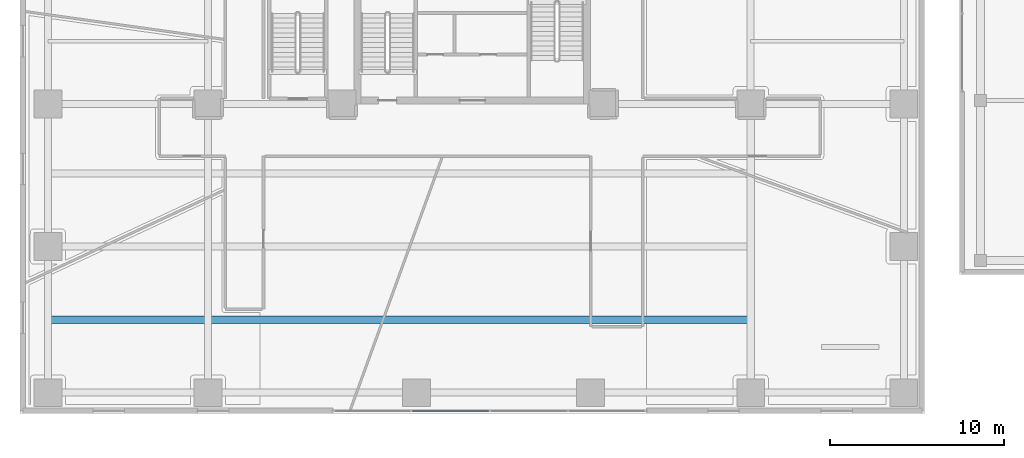
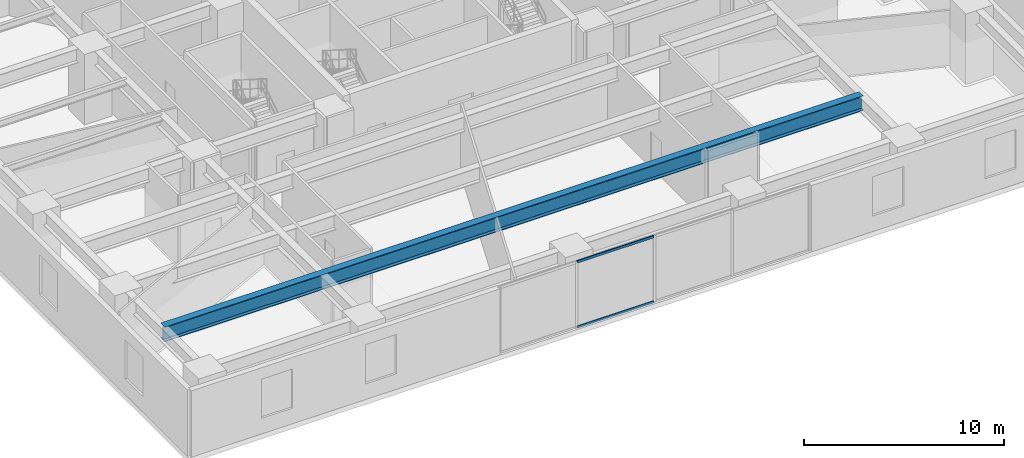
# One storey, part 3 of 25: 2 members, 1 beam, 1 element without a shape of its own.
"""IFC4 building model written with IfcOpenShell, lengths in metres."""

import ifcopenshell
import ifcopenshell.guid

model = None  # the IFC model being written
_history = None  # IfcOwnerHistory: only IFC2X3 demands one
_inside = {}  # id of a spatial element -> (the spatial element, [elements in it])
_under = {}  # id of a project, library or spatial element -> (it, [spatial elements below it])
_declared = {}  # id of a project -> (the project, [libraries it declares])
_typed = {}  # id of a type object -> (the type object, [elements of that type])
_made_of = {}  # id of a material, layer set ... -> (it, [elements and type objects made of it])


def new_model(schema):
    """Start an empty IFC model of exactly this schema.

    Asked for "IFC4X3", IfcOpenShell would pick the latest addendum, in which some entities
    have other attributes; the version numbers below select the first issue.
    IFC2X3 requires an IfcOwnerHistory on every rooted entity: one is made here for all.
    """
    global model, _history
    if schema == "IFC4X3":
        model = ifcopenshell.file(schema_version=(4, 3, 0, 0))
    else:
        model = ifcopenshell.file(schema=schema)
    _inside.clear()
    _under.clear()
    _declared.clear()
    _typed.clear()
    _made_of.clear()
    _history = None
    if model.schema == "IFC2X3":
        org = make("IfcOrganization", Name="unknown")
        user = make(
            "IfcPersonAndOrganization",
            ThePerson=make("IfcPerson", FamilyName="unknown"),
            TheOrganization=org,
        )
        app = make(
            "IfcApplication",
            ApplicationDeveloper=org,
            Version="unknown",
            ApplicationFullName="unknown",
            ApplicationIdentifier="unknown",
        )
        _history = make(
            "IfcOwnerHistory",
            OwningUser=user,
            OwningApplication=app,
            ChangeAction="ADDED",
            CreationDate=0,
        )
    return model


def make(cls, **values):
    """One entity of the class cls with the attributes given. An attribute that is None is left unset."""
    return model.create_entity(
        cls, **{name: value for name, value in values.items() if value is not None}
    )


def rooted(cls, **values):
    """An entity with a GlobalId (a new one), such as an element, a storey or a relation."""
    return make(cls, GlobalId=ifcopenshell.guid.new(), OwnerHistory=_history, **values)


def si_unit(unit_type, name, prefix=None):
    """IfcSIUnit, for example si_unit("LENGTHUNIT", "METRE", prefix="MILLI")."""
    return make("IfcSIUnit", UnitType=unit_type, Prefix=prefix, Name=name)


def assignment(units):
    """IfcUnitAssignment: the units of a project."""
    return None if units is None else make("IfcUnitAssignment", Units=units)


def point(xyz):
    """IfcCartesianPoint."""
    return None if xyz is None else make("IfcCartesianPoint", Coordinates=xyz)


def direction(xyz):
    """IfcDirection."""
    return None if xyz is None else make("IfcDirection", DirectionRatios=xyz)


def frame(location, z_axis=None, x_axis=None):
    """IfcAxis2Placement3D, a coordinate frame: its origin and axes. An axis left out is left unset."""
    return make(
        "IfcAxis2Placement3D",
        Location=point(location),
        Axis=direction(z_axis),
        RefDirection=direction(x_axis),
    )


def frame_2d(location, x_axis=None):
    """IfcAxis2Placement2D, a coordinate frame in the plane: its origin and x axis."""
    return make(
        "IfcAxis2Placement2D", Location=point(location), RefDirection=direction(x_axis)
    )


def origin():
    """The frame at (0, 0, 0) with its axes left unset."""
    return frame((0.0, 0.0, 0.0))


def origin_2d():
    """The frame at (0, 0) in the plane with its x axis left unset."""
    return frame_2d((0.0, 0.0))


def place(relative_to, where):
    """IfcLocalPlacement: puts the frame where relative to a parent placement (None: the world)."""
    return make(
        "IfcLocalPlacement", PlacementRelTo=relative_to, RelativePlacement=where
    )


def context(
    kind, dimensions, precision=None, world=None, true_north=None, identifier=None
):
    """IfcGeometricRepresentationContext, for example the 3D "Model" context."""
    return make(
        "IfcGeometricRepresentationContext",
        ContextIdentifier=identifier,
        ContextType=kind,
        CoordinateSpaceDimension=dimensions,
        Precision=precision,
        WorldCoordinateSystem=world,
        TrueNorth=true_north,
    )


def subcontext(parent, identifier, kind, view, scale=None):
    """IfcGeometricRepresentationSubContext, for example "Body" below "Model"."""
    return make(
        "IfcGeometricRepresentationSubContext",
        ContextIdentifier=identifier,
        ContextType=kind,
        ParentContext=parent,
        TargetScale=scale,
        TargetView=view,
    )


def project(units=None, contexts=None):
    """IfcProject with its units and contexts."""
    return rooted(
        "IfcProject",
        Name="project",
        RepresentationContexts=contexts,
        UnitsInContext=assignment(units),
    )


def spatial(cls, under=None, at=None, **own):
    """A site, building, storey or space (cls), placed at a placement, below another one or the project."""
    s = rooted(cls, ObjectPlacement=at, **own)
    if under is not None:
        _under.setdefault(under.id(), (under, []))[1].append(s)
    return s


def profile(cls, at=None, kind="AREA", **sizes):
    """A parametric profile (cls). Its sizes go by their IFC names, for example OverallWidth=200.0."""
    return make(cls, ProfileType=kind, Position=at, **sizes)


def hollow_rectangle(**sizes):
    """IfcRectangleHollowProfileDef."""
    return profile("IfcRectangleHollowProfileDef", **sizes)


def i_section(**sizes):
    """IfcIShapeProfileDef."""
    return profile("IfcIShapeProfileDef", **sizes)


def extrude(swept, where, along, depth):
    """IfcExtrudedAreaSolid: the profile swept, set in the frame where, extruded along a direction by depth."""
    return make(
        "IfcExtrudedAreaSolid",
        SweptArea=swept,
        Position=where,
        ExtrudedDirection=direction(along),
        Depth=depth,
    )


def shape(context_of_items, identifier, shape_type, items):
    """IfcShapeRepresentation: the items that make up one representation, for example the "Body"."""
    return make(
        "IfcShapeRepresentation",
        ContextOfItems=context_of_items,
        RepresentationIdentifier=identifier,
        RepresentationType=shape_type,
        Items=items,
    )


def source(mapping_origin, context_of_items, identifier, shape_type, items):
    """IfcRepresentationMap: a shape defined once, which mapped items show again and again."""
    return make(
        "IfcRepresentationMap",
        MappingOrigin=mapping_origin,
        MappedRepresentation=shape(context_of_items, identifier, shape_type, items),
    )


def transform(
    local_origin,
    x_axis=None,
    y_axis=None,
    z_axis=None,
    scale=None,
    scale2=None,
    scale3=None,
    uniform=True,
):
    """IfcCartesianTransformationOperator3D, or its non-uniform kind. x_axis, y_axis, z_axis: its Axis1, 2, 3."""
    if uniform:
        return make(
            "IfcCartesianTransformationOperator3D",
            Axis1=direction(x_axis),
            Axis2=direction(y_axis),
            LocalOrigin=point(local_origin),
            Scale=scale,
            Axis3=direction(z_axis),
        )
    return make(
        "IfcCartesianTransformationOperator3DnonUniform",
        Axis1=direction(x_axis),
        Axis2=direction(y_axis),
        LocalOrigin=point(local_origin),
        Scale=scale,
        Axis3=direction(z_axis),
        Scale2=scale2,
        Scale3=scale3,
    )


def mapped(mapping_source, mapping_target):
    """IfcMappedItem: shows the shape of a source again, moved by a transform."""
    return make(
        "IfcMappedItem", MappingSource=mapping_source, MappingTarget=mapping_target
    )


def material(Name=None, Category=None):
    """IfcMaterial."""
    return make("IfcMaterial", Name=Name, Category=Category)


def layer(
    of_material, thickness, ventilated=None, Name=None, Category=None, Priority=None
):
    """IfcMaterialLayer: one layer of a wall or slab, of a material (None: an air gap)."""
    return make(
        "IfcMaterialLayer",
        Material=of_material,
        LayerThickness=thickness,
        IsVentilated=ventilated,
        Name=Name,
        Category=Category,
        Priority=Priority,
    )


def layer_set(layers, Name=None):
    """IfcMaterialLayerSet."""
    return make("IfcMaterialLayerSet", MaterialLayers=layers, LayerSetName=Name)


def material_profile(
    of_material, cross_section, Name=None, Category=None, Priority=None
):
    """IfcMaterialProfile: a cross section and its material."""
    return make(
        "IfcMaterialProfile",
        Name=Name,
        Material=of_material,
        Profile=cross_section,
        Priority=Priority,
        Category=Category,
    )


def profile_set(profiles, Name=None, composite=None):
    """IfcMaterialProfileSet."""
    return make(
        "IfcMaterialProfileSet",
        Name=Name,
        MaterialProfiles=profiles,
        CompositeProfile=composite,
    )


def made_of(thing, what):
    """Note that an element or type object is made of a material, layer set ...; save() writes the relation."""
    if what is not None:
        _made_of.setdefault(what.id(), (what, []))[1].append(thing)
    return thing


def type_object(cls, material=None, **own):
    """A type object (cls), such as IfcWallType, which elements share."""
    return made_of(rooted(cls, **own), material)


def type_shapes(of_type, sources):
    """Give a type object the sources (RepresentationMaps) that its elements show as mapped items."""
    of_type.RepresentationMaps = sources


def element(
    cls,
    number,
    at=None,
    inside=None,
    cuts=None,
    type_object=None,
    material=None,
    context=None,
    identifier="Body",
    shape_type=None,
    held_by="IfcProductDefinitionShape",
    body=None,
    shapes=None,
    **own,
):
    """One element of the class cls, such as IfcWall. Its Tag is "e" and its number.

    at: its placement. inside: the storey or other place that contains it. cuts: it is an
    opening in that element (IfcRelVoidsElement). A single representation is given by context,
    identifier, shape_type and body (its items); several are given by shapes. held_by: the class
    of the entity that holds the representations. save() writes the other relations.
    """
    e = rooted(cls, Tag="e%d" % number, ObjectPlacement=at, **own)
    if body is not None:
        shapes = [shape(context, identifier, shape_type, body)]
    if shapes is not None:
        e.Representation = make(held_by, Representations=shapes)
    if inside is not None:
        _inside.setdefault(inside.id(), (inside, []))[1].append(e)
    if cuts is not None:
        rooted(
            "IfcRelVoidsElement", RelatingBuildingElement=cuts, RelatedOpeningElement=e
        )
    if type_object is not None:
        _typed.setdefault(type_object.id(), (type_object, []))[1].append(e)
    return made_of(e, material)


def aggregate(whole, parts):
    """IfcRelAggregates: a whole, such as a stair, and the parts it consists of."""
    return rooted("IfcRelAggregates", RelatingObject=whole, RelatedObjects=parts)


def save(model, path):
    """Write the relations noted so far, then the file.

    IfcRelAggregates (storeys below a building ...), IfcRelContainedInSpatialStructure (elements
    in a storey), IfcRelDefinesByType, IfcRelAssociatesMaterial and IfcRelDeclares: one each for
    every whole, place, type object, material and project.
    """
    for whole, parts in _under.values():
        aggregate(whole, parts)
    for where, things in _inside.values():
        rooted(
            "IfcRelContainedInSpatialStructure",
            RelatedElements=things,
            RelatingStructure=where,
        )
    for kind, things in _typed.values():
        rooted("IfcRelDefinesByType", RelatedObjects=things, RelatingType=kind)
    for what, things in _made_of.values():
        rooted("IfcRelAssociatesMaterial", RelatedObjects=things, RelatingMaterial=what)
    for by, libraries in _declared.values():
        rooted("IfcRelDeclares", RelatingContext=by, RelatedDefinitions=libraries)
    model.write(path)


model = new_model("IFC4")

# Units and contexts
model_context = context("Model", 3, precision=1e-05, world=origin(), true_north=direction((0.0, 1.0)))
body_context = subcontext(model_context, "Body", "Model", "MODEL_VIEW")
ifc_project = project(units=[si_unit("LENGTHUNIT", "METRE"), si_unit("AREAUNIT", "SQUARE_METRE"), si_unit("VOLUMEUNIT", "CUBIC_METRE"), si_unit("PLANEANGLEUNIT", "RADIAN"), si_unit("MASSUNIT", "GRAM", prefix="KILO")], contexts=[model_context])

# Site, building, storey
site_placement = place(None, origin())
site = spatial("IfcSite", under=ifc_project, at=site_placement, CompositionType="ELEMENT")
building_placement = place(site_placement, origin())
building = spatial("IfcBuilding", under=site, at=building_placement, Name="Talar Marvaseh", CompositionType="ELEMENT")
storey_placement = place(building_placement, frame((0.0, 0.0, 5.199951171875)))
storey = spatial("IfcBuildingStorey", under=building, at=storey_placement, Name="L01", CompositionType="ELEMENT", Elevation=5.199951171875)

# Beam
ifc_material_1 = material(Name="Steel S460", Category="steel")
ifc_material_profile_1 = material_profile(ifc_material_1, i_section(OverallWidth=0.41796875, OverallDepth=0.912109375, WebThickness=0.019287109375, FlangeThickness=0.031982421875, at=origin_2d()), Name="W920x342")
ifc_profile_set_1 = profile_set([ifc_material_profile_1], Name="Steel S460")
beam_type = type_object("IfcBeamType", Name="Auditorium Long-Span Girder W920x342", PredefinedType="BEAM", material=ifc_profile_set_1)
beam_placement = place(storey_placement, frame((1.60009765625, 13.39990234375, 3.843994140625), z_axis=(1.0, 0.0, 0.0), x_axis=(0.0, 1.0, 0.0)))
element("IfcBeam", 1, at=beam_placement, inside=storey, type_object=beam_type, Name="L01 Auditorium Long-Span Girder W920x342", PredefinedType="BEAM", context=body_context, shape_type="SweptSolid", body=[
    extrude(i_section(OverallWidth=0.41796875, OverallDepth=0.912109375, WebThickness=0.019287109375, FlangeThickness=0.031982421875, at=origin_2d()), origin(), (0.0, 0.0, 1.0), 40.39990234375),
])

# Curtain wall, members
ifc_material_2 = material(Name="Architectural Aluminium", Category="aluminium")
ifc_layer = layer(ifc_material_2, 0.25)
ifc_layer_set = layer_set([ifc_layer], Name="Architectural Aluminium")
curtain_wall_type = type_object("IfcCurtainWallType", Name="Station Podium Monumental Iwan Curtain Wall", PredefinedType="NOTDEFINED", material=ifc_layer_set)
curtain_wall_placement = place(storey_placement, origin())
curtain_wall = element("IfcCurtainWall", 2, at=curtain_wall_placement, inside=storey, type_object=curtain_wall_type, Name="L01 Station Podium Monumental Iwan Curtain Wall", PredefinedType="NOTDEFINED")
ifc_material_profile_2 = material_profile(ifc_material_2, hollow_rectangle(XDim=0.06494140625, YDim=0.14990234375, WallThickness=0.00390625, at=origin_2d()), Name="RHS150x65x4")
ifc_profile_set_2 = profile_set([ifc_material_profile_2], Name="Architectural Aluminium")
member_type = type_object("IfcMemberType", Name="Unitised Curtain Wall Slim Transom RHS150x65x4", PredefinedType="USERDEFINED", material=ifc_profile_set_2)
shared_shape = source(origin(), body_context, "Body", "SweptSolid", [
    extrude(hollow_rectangle(XDim=0.06494140625, YDim=0.14990234375, WallThickness=0.00390625, at=origin_2d()), origin(), (0.0, 0.0, 1.0), 4.43505859375),
])
type_shapes(member_type, [shared_shape])
member_1_placement = place(storey_placement, frame((26.967529296875, 8.159912109375, 0.032470703125), z_axis=(-1.0, 0.0, 0.0), x_axis=(0.0, -1.0, 0.0)))
member_1 = element("IfcMember", 3, at=member_1_placement, type_object=member_type, Name="CW-POD transom 3.1", ObjectType="TRANSOM", PredefinedType="USERDEFINED", context=body_context, shape_type="MappedRepresentation", body=[
    mapped(shared_shape, transform((0.0, 0.0, 0.0), x_axis=(1.0, 0.0, 0.0), y_axis=(0.0, 1.0, 0.0), z_axis=(0.0, 0.0, 1.0), scale=1.0)),
])
member_2_placement = place(storey_placement, frame((26.967529296875, 8.159912109375, 4.017578125), z_axis=(-1.0, 0.0, 0.0), x_axis=(0.0, -1.0, 0.0)))
member_2 = element("IfcMember", 4, at=member_2_placement, type_object=member_type, Name="CW-POD transom 3.2", ObjectType="TRANSOM", PredefinedType="USERDEFINED", context=body_context, shape_type="MappedRepresentation", body=[
    mapped(shared_shape, transform((0.0, 0.0, 0.0), x_axis=(1.0, 0.0, 0.0), y_axis=(0.0, 1.0, 0.0), z_axis=(0.0, 0.0, 1.0), scale=1.0)),
])
aggregate(curtain_wall, [member_1, member_2])

save(model, "model.ifc")
